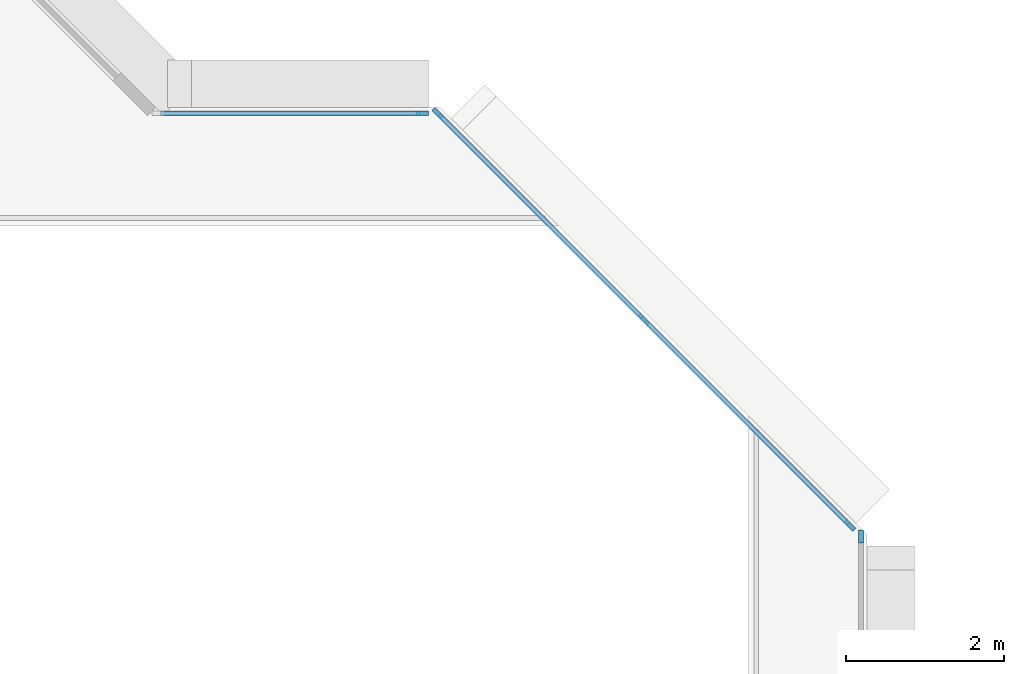
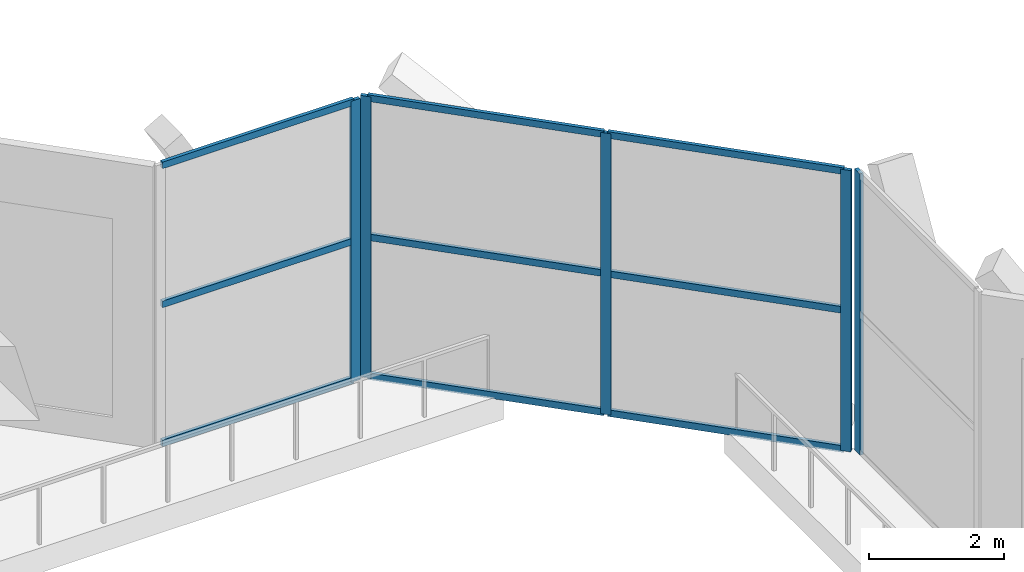
# One storey, part 4 of 14: 14 members, 3 elements without a shape of their own.
"""IFC4 building model written with IfcOpenShell, lengths in metres."""

import ifcopenshell
import ifcopenshell.guid

model = None  # the IFC model being written
_history = None  # IfcOwnerHistory: only IFC2X3 demands one
_inside = {}  # id of a spatial element -> (the spatial element, [elements in it])
_under = {}  # id of a project, library or spatial element -> (it, [spatial elements below it])
_declared = {}  # id of a project -> (the project, [libraries it declares])
_typed = {}  # id of a type object -> (the type object, [elements of that type])
_made_of = {}  # id of a material, layer set ... -> (it, [elements and type objects made of it])


def new_model(schema):
    """Start an empty IFC model of exactly this schema.

    Asked for "IFC4X3", IfcOpenShell would pick the latest addendum, in which some entities
    have other attributes; the version numbers below select the first issue.
    IFC2X3 requires an IfcOwnerHistory on every rooted entity: one is made here for all.
    """
    global model, _history
    if schema == "IFC4X3":
        model = ifcopenshell.file(schema_version=(4, 3, 0, 0))
    else:
        model = ifcopenshell.file(schema=schema)
    _inside.clear()
    _under.clear()
    _declared.clear()
    _typed.clear()
    _made_of.clear()
    _history = None
    if model.schema == "IFC2X3":
        org = make("IfcOrganization", Name="unknown")
        user = make(
            "IfcPersonAndOrganization",
            ThePerson=make("IfcPerson", FamilyName="unknown"),
            TheOrganization=org,
        )
        app = make(
            "IfcApplication",
            ApplicationDeveloper=org,
            Version="unknown",
            ApplicationFullName="unknown",
            ApplicationIdentifier="unknown",
        )
        _history = make(
            "IfcOwnerHistory",
            OwningUser=user,
            OwningApplication=app,
            ChangeAction="ADDED",
            CreationDate=0,
        )
    return model


def make(cls, **values):
    """One entity of the class cls with the attributes given. An attribute that is None is left unset."""
    return model.create_entity(
        cls, **{name: value for name, value in values.items() if value is not None}
    )


def rooted(cls, **values):
    """An entity with a GlobalId (a new one), such as an element, a storey or a relation."""
    return make(cls, GlobalId=ifcopenshell.guid.new(), OwnerHistory=_history, **values)


def si_unit(unit_type, name, prefix=None):
    """IfcSIUnit, for example si_unit("LENGTHUNIT", "METRE", prefix="MILLI")."""
    return make("IfcSIUnit", UnitType=unit_type, Prefix=prefix, Name=name)


def assignment(units):
    """IfcUnitAssignment: the units of a project."""
    return None if units is None else make("IfcUnitAssignment", Units=units)


def point(xyz):
    """IfcCartesianPoint."""
    return None if xyz is None else make("IfcCartesianPoint", Coordinates=xyz)


def direction(xyz):
    """IfcDirection."""
    return None if xyz is None else make("IfcDirection", DirectionRatios=xyz)


def frame(location, z_axis=None, x_axis=None):
    """IfcAxis2Placement3D, a coordinate frame: its origin and axes. An axis left out is left unset."""
    return make(
        "IfcAxis2Placement3D",
        Location=point(location),
        Axis=direction(z_axis),
        RefDirection=direction(x_axis),
    )


def frame_2d(location, x_axis=None):
    """IfcAxis2Placement2D, a coordinate frame in the plane: its origin and x axis."""
    return make(
        "IfcAxis2Placement2D", Location=point(location), RefDirection=direction(x_axis)
    )


def origin():
    """The frame at (0, 0, 0) with its axes left unset."""
    return frame((0.0, 0.0, 0.0))


def origin_2d():
    """The frame at (0, 0) in the plane with its x axis left unset."""
    return frame_2d((0.0, 0.0))


def place(relative_to, where):
    """IfcLocalPlacement: puts the frame where relative to a parent placement (None: the world)."""
    return make(
        "IfcLocalPlacement", PlacementRelTo=relative_to, RelativePlacement=where
    )


def context(
    kind, dimensions, precision=None, world=None, true_north=None, identifier=None
):
    """IfcGeometricRepresentationContext, for example the 3D "Model" context."""
    return make(
        "IfcGeometricRepresentationContext",
        ContextIdentifier=identifier,
        ContextType=kind,
        CoordinateSpaceDimension=dimensions,
        Precision=precision,
        WorldCoordinateSystem=world,
        TrueNorth=true_north,
    )


def subcontext(parent, identifier, kind, view, scale=None):
    """IfcGeometricRepresentationSubContext, for example "Body" below "Model"."""
    return make(
        "IfcGeometricRepresentationSubContext",
        ContextIdentifier=identifier,
        ContextType=kind,
        ParentContext=parent,
        TargetScale=scale,
        TargetView=view,
    )


def project(units=None, contexts=None):
    """IfcProject with its units and contexts."""
    return rooted(
        "IfcProject",
        Name="project",
        RepresentationContexts=contexts,
        UnitsInContext=assignment(units),
    )


def spatial(cls, under=None, at=None, **own):
    """A site, building, storey or space (cls), placed at a placement, below another one or the project."""
    s = rooted(cls, ObjectPlacement=at, **own)
    if under is not None:
        _under.setdefault(under.id(), (under, []))[1].append(s)
    return s


def profile(cls, at=None, kind="AREA", **sizes):
    """A parametric profile (cls). Its sizes go by their IFC names, for example OverallWidth=200.0."""
    return make(cls, ProfileType=kind, Position=at, **sizes)


def rectangle(**sizes):
    """IfcRectangleProfileDef."""
    return profile("IfcRectangleProfileDef", **sizes)


def extrude(swept, where, along, depth):
    """IfcExtrudedAreaSolid: the profile swept, set in the frame where, extruded along a direction by depth."""
    return make(
        "IfcExtrudedAreaSolid",
        SweptArea=swept,
        Position=where,
        ExtrudedDirection=direction(along),
        Depth=depth,
    )


def shape(context_of_items, identifier, shape_type, items):
    """IfcShapeRepresentation: the items that make up one representation, for example the "Body"."""
    return make(
        "IfcShapeRepresentation",
        ContextOfItems=context_of_items,
        RepresentationIdentifier=identifier,
        RepresentationType=shape_type,
        Items=items,
    )


def material(Name=None, Category=None):
    """IfcMaterial."""
    return make("IfcMaterial", Name=Name, Category=Category)


def layer(
    of_material, thickness, ventilated=None, Name=None, Category=None, Priority=None
):
    """IfcMaterialLayer: one layer of a wall or slab, of a material (None: an air gap)."""
    return make(
        "IfcMaterialLayer",
        Material=of_material,
        LayerThickness=thickness,
        IsVentilated=ventilated,
        Name=Name,
        Category=Category,
        Priority=Priority,
    )


def layer_set(layers, Name=None):
    """IfcMaterialLayerSet."""
    return make("IfcMaterialLayerSet", MaterialLayers=layers, LayerSetName=Name)


def material_profile(
    of_material, cross_section, Name=None, Category=None, Priority=None
):
    """IfcMaterialProfile: a cross section and its material."""
    return make(
        "IfcMaterialProfile",
        Name=Name,
        Material=of_material,
        Profile=cross_section,
        Priority=Priority,
        Category=Category,
    )


def profile_set(profiles, Name=None, composite=None):
    """IfcMaterialProfileSet."""
    return make(
        "IfcMaterialProfileSet",
        Name=Name,
        MaterialProfiles=profiles,
        CompositeProfile=composite,
    )


def made_of(thing, what):
    """Note that an element or type object is made of a material, layer set ...; save() writes the relation."""
    if what is not None:
        _made_of.setdefault(what.id(), (what, []))[1].append(thing)
    return thing


def type_object(cls, material=None, **own):
    """A type object (cls), such as IfcWallType, which elements share."""
    return made_of(rooted(cls, **own), material)


def element(
    cls,
    number,
    at=None,
    inside=None,
    cuts=None,
    type_object=None,
    material=None,
    context=None,
    identifier="Body",
    shape_type=None,
    held_by="IfcProductDefinitionShape",
    body=None,
    shapes=None,
    **own,
):
    """One element of the class cls, such as IfcWall. Its Tag is "e" and its number.

    at: its placement. inside: the storey or other place that contains it. cuts: it is an
    opening in that element (IfcRelVoidsElement). A single representation is given by context,
    identifier, shape_type and body (its items); several are given by shapes. held_by: the class
    of the entity that holds the representations. save() writes the other relations.
    """
    e = rooted(cls, Tag="e%d" % number, ObjectPlacement=at, **own)
    if body is not None:
        shapes = [shape(context, identifier, shape_type, body)]
    if shapes is not None:
        e.Representation = make(held_by, Representations=shapes)
    if inside is not None:
        _inside.setdefault(inside.id(), (inside, []))[1].append(e)
    if cuts is not None:
        rooted(
            "IfcRelVoidsElement", RelatingBuildingElement=cuts, RelatedOpeningElement=e
        )
    if type_object is not None:
        _typed.setdefault(type_object.id(), (type_object, []))[1].append(e)
    return made_of(e, material)


def aggregate(whole, parts):
    """IfcRelAggregates: a whole, such as a stair, and the parts it consists of."""
    return rooted("IfcRelAggregates", RelatingObject=whole, RelatedObjects=parts)


def save(model, path):
    """Write the relations noted so far, then the file.

    IfcRelAggregates (storeys below a building ...), IfcRelContainedInSpatialStructure (elements
    in a storey), IfcRelDefinesByType, IfcRelAssociatesMaterial and IfcRelDeclares: one each for
    every whole, place, type object, material and project.
    """
    for whole, parts in _under.values():
        aggregate(whole, parts)
    for where, things in _inside.values():
        rooted(
            "IfcRelContainedInSpatialStructure",
            RelatedElements=things,
            RelatingStructure=where,
        )
    for kind, things in _typed.values():
        rooted("IfcRelDefinesByType", RelatedObjects=things, RelatingType=kind)
    for what, things in _made_of.values():
        rooted("IfcRelAssociatesMaterial", RelatedObjects=things, RelatingMaterial=what)
    for by, libraries in _declared.values():
        rooted("IfcRelDeclares", RelatingContext=by, RelatedDefinitions=libraries)
    model.write(path)


model = new_model("IFC4")

# Units and contexts
model_context = context("Model", 3, precision=1e-05, world=origin(), true_north=direction((0.0, 1.0)))
body_context = subcontext(model_context, "Body", "Model", "MODEL_VIEW")
ifc_project = project(units=[si_unit("LENGTHUNIT", "METRE"), si_unit("AREAUNIT", "SQUARE_METRE"), si_unit("VOLUMEUNIT", "CUBIC_METRE"), si_unit("PLANEANGLEUNIT", "RADIAN"), si_unit("MASSUNIT", "GRAM", prefix="KILO")], contexts=[model_context])

# Site, building, storey
site_placement = place(None, origin())
site = spatial("IfcSite", under=ifc_project, at=site_placement, CompositionType="ELEMENT")
building_placement = place(site_placement, origin())
building = spatial("IfcBuilding", under=site, at=building_placement, Name="Chenar Terraces", CompositionType="ELEMENT")
storey_placement = place(building_placement, frame((0.0, 0.0, 86.39990234375)))
storey = spatial("IfcBuildingStorey", under=building, at=storey_placement, Name="L19", CompositionType="ELEMENT", Elevation=86.39990234375)

# Curtain wall, member
ifc_material_1 = material(Name="Aluminium framed glazing", Category="aluminium")
ifc_layer = layer(ifc_material_1, 0.14990234375)
ifc_layer_set = layer_set([ifc_layer], Name="Aluminium framed glazing")
curtain_wall_type = type_object("IfcCurtainWallType", Name="Atrium curtain wall", PredefinedType="NOTDEFINED", material=ifc_layer_set)
placement = place(storey_placement, origin())
curtain_wall_1 = element("IfcCurtainWall", 1, at=placement, inside=storey, type_object=curtain_wall_type, Name="Atrium curtain wall", PredefinedType="NOTDEFINED")
ifc_material_2 = material(Name="Aluminium", Category="aluminium")
ifc_material_profile_1 = material_profile(ifc_material_2, rectangle(XDim=0.06005859375, YDim=0.159912109375, at=origin_2d()), Name="Atrium glazing mullion 60 x 160")
ifc_profile_set_1 = profile_set([ifc_material_profile_1], Name="Aluminium")
member_type_1 = type_object("IfcMemberType", Name="Atrium glazing mullion 60 x 160", PredefinedType="MULLION", material=ifc_profile_set_1)
member_1_placement = place(storey_placement, frame((37.425048828125, 32.070068359375, 0.0), z_axis=(0.0, 0.0, 1.0), x_axis=(-1.0, 0.0, 0.0)))
member_1 = element("IfcMember", 2, at=member_1_placement, type_object=member_type_1, Name="CW1-1 mullion 2", PredefinedType="MULLION", context=body_context, shape_type="SweptSolid", body=[
    extrude(rectangle(XDim=0.06005859375, YDim=0.159912109375, at=origin_2d()), origin(), (0.0, 0.0, 1.0), 5.10009765625),
])
aggregate(curtain_wall_1, [member_1])

# Curtain wall, members
curtain_wall_2 = element("IfcCurtainWall", 3, at=placement, inside=storey, type_object=curtain_wall_type, Name="Atrium curtain wall", PredefinedType="NOTDEFINED")
member_2_placement = place(storey_placement, frame((37.284423828125, 32.209716796875, 0.0), z_axis=(0.0, 0.0, 1.0), x_axis=(-0.707106781187, -0.707106781187, 0.0)))
member_2 = element("IfcMember", 4, at=member_2_placement, type_object=member_type_1, Name="CW1-2 mullion 1", PredefinedType="MULLION", context=body_context, shape_type="SweptSolid", body=[
    extrude(rectangle(XDim=0.06005859375, YDim=0.159912109375, at=origin_2d()), origin(), (0.0, 0.0, 1.0), 5.10009765625),
])
member_3_placement = place(storey_placement, frame((34.67626953125, 34.817626953125, 0.0), z_axis=(0.0, 0.0, 1.0), x_axis=(-0.707106781187, -0.707106781187, 0.0)))
member_3 = element("IfcMember", 5, at=member_3_placement, type_object=member_type_1, Name="CW1-2 mullion 2", PredefinedType="MULLION", context=body_context, shape_type="SweptSolid", body=[
    extrude(rectangle(XDim=0.06005859375, YDim=0.159912109375, at=origin_2d()), origin(), (0.0, 0.0, 1.0), 5.10009765625),
])
member_4_placement = place(storey_placement, frame((32.068115234375, 37.42578125, 0.0), z_axis=(0.0, 0.0, 1.0), x_axis=(-0.707106781187, -0.707106781187, 0.0)))
member_4 = element("IfcMember", 6, at=member_4_placement, type_object=member_type_1, Name="CW1-2 mullion 3", PredefinedType="MULLION", context=body_context, shape_type="SweptSolid", body=[
    extrude(rectangle(XDim=0.06005859375, YDim=0.159912109375, at=origin_2d()), origin(), (0.0, 0.0, 1.0), 5.10009765625),
])

# Curtain wall, member
curtain_wall_3 = element("IfcCurtainWall", 7, at=placement, inside=storey, type_object=curtain_wall_type, Name="Atrium curtain wall", PredefinedType="NOTDEFINED")
member_5_placement = place(storey_placement, frame((31.8701171875, 37.425048828125, 0.0), z_axis=(0.0, 0.0, 1.0), x_axis=(0.0, -1.0, 0.0)))
member_5 = element("IfcMember", 8, at=member_5_placement, type_object=member_type_1, Name="CW1-3 mullion 1", PredefinedType="MULLION", context=body_context, shape_type="SweptSolid", body=[
    extrude(rectangle(XDim=0.06005859375, YDim=0.159912109375, at=origin_2d()), origin(), (0.0, 0.0, 1.0), 5.10009765625),
])

# Member
ifc_material_3 = material(Name="Aluminium", Category="aluminium")
ifc_material_profile_2 = material_profile(ifc_material_3, rectangle(XDim=0.06005859375, YDim=0.1201171875, at=origin_2d()), Name="Atrium glazing transom 60 x 120")
ifc_profile_set_2 = profile_set([ifc_material_profile_2], Name="Aluminium")
member_type_2 = type_object("IfcMemberType", Name="Atrium glazing transom 60 x 120", PredefinedType="USERDEFINED", material=ifc_profile_set_2)
member_6_placement = place(storey_placement, frame((37.26318359375, 32.230712890625, 0.030029296875), z_axis=(-0.707106781187, 0.707106781187, 0.0), x_axis=(-0.707106781187, -0.707106781187, 0.0)))
member_6 = element("IfcMember", 9, at=member_6_placement, type_object=member_type_2, Name="CW1-2 transom 1.1", ObjectType="TRANSOM", PredefinedType="USERDEFINED", context=body_context, shape_type="SweptSolid", body=[
    extrude(rectangle(XDim=0.06005859375, YDim=0.1201171875, at=origin_2d()), origin(), (0.0, 0.0, 1.0), 3.62841796875),
])

member_7_placement = place(storey_placement, frame((37.26318359375, 32.230712890625, 2.550048828125), z_axis=(-0.707106781187, 0.707106781187, 0.0), x_axis=(-0.707106781187, -0.707106781187, 0.0)))
member_7 = element("IfcMember", 10, at=member_7_placement, type_object=member_type_2, Name="CW1-2 transom 1.2", ObjectType="TRANSOM", PredefinedType="USERDEFINED", context=body_context, shape_type="SweptSolid", body=[
    extrude(rectangle(XDim=0.06005859375, YDim=0.1201171875, at=origin_2d()), origin(), (0.0, 0.0, 1.0), 3.62841796875),
])

member_8_placement = place(storey_placement, frame((37.26318359375, 32.230712890625, 5.070068359375), z_axis=(-0.707106781187, 0.707106781187, 0.0), x_axis=(-0.707106781187, -0.707106781187, 0.0)))
member_8 = element("IfcMember", 11, at=member_8_placement, type_object=member_type_2, Name="CW1-2 transom 1.3", ObjectType="TRANSOM", PredefinedType="USERDEFINED", context=body_context, shape_type="SweptSolid", body=[
    extrude(rectangle(XDim=0.06005859375, YDim=0.1201171875, at=origin_2d()), origin(), (0.0, 0.0, 1.0), 3.62841796875),
])

member_9_placement = place(storey_placement, frame((34.655029296875, 34.8388671875, 0.030029296875), z_axis=(-0.707106781187, 0.707106781187, 0.0), x_axis=(-0.707106781187, -0.707106781187, 0.0)))
member_9 = element("IfcMember", 12, at=member_9_placement, type_object=member_type_2, Name="CW1-2 transom 2.1", ObjectType="TRANSOM", PredefinedType="USERDEFINED", context=body_context, shape_type="SweptSolid", body=[
    extrude(rectangle(XDim=0.06005859375, YDim=0.1201171875, at=origin_2d()), origin(), (0.0, 0.0, 1.0), 3.62841796875),
])

member_10_placement = place(storey_placement, frame((34.655029296875, 34.8388671875, 2.550048828125), z_axis=(-0.707106781187, 0.707106781187, 0.0), x_axis=(-0.707106781187, -0.707106781187, 0.0)))
member_10 = element("IfcMember", 13, at=member_10_placement, type_object=member_type_2, Name="CW1-2 transom 2.2", ObjectType="TRANSOM", PredefinedType="USERDEFINED", context=body_context, shape_type="SweptSolid", body=[
    extrude(rectangle(XDim=0.06005859375, YDim=0.1201171875, at=origin_2d()), origin(), (0.0, 0.0, 1.0), 3.62841796875),
])

member_11_placement = place(storey_placement, frame((34.655029296875, 34.8388671875, 5.070068359375), z_axis=(-0.707106781187, 0.707106781187, 0.0), x_axis=(-0.707106781187, -0.707106781187, 0.0)))
member_11 = element("IfcMember", 14, at=member_11_placement, type_object=member_type_2, Name="CW1-2 transom 2.3", ObjectType="TRANSOM", PredefinedType="USERDEFINED", context=body_context, shape_type="SweptSolid", body=[
    extrude(rectangle(XDim=0.06005859375, YDim=0.1201171875, at=origin_2d()), origin(), (0.0, 0.0, 1.0), 3.62841796875),
])

aggregate(curtain_wall_2, [member_2, member_3, member_4, member_6, member_7, member_8, member_9, member_10, member_11])

member_12_placement = place(storey_placement, frame((31.840087890625, 37.425048828125, 0.030029296875), z_axis=(-1.0, 0.0, 0.0), x_axis=(0.0, -1.0, 0.0)))
member_12 = element("IfcMember", 15, at=member_12_placement, type_object=member_type_2, Name="CW1-3 transom 1.1", ObjectType="TRANSOM", PredefinedType="USERDEFINED", context=body_context, shape_type="SweptSolid", body=[
    extrude(rectangle(XDim=0.06005859375, YDim=0.1201171875, at=origin_2d()), origin(), (0.0, 0.0, 1.0), 3.280029296875),
])

member_13_placement = place(storey_placement, frame((31.840087890625, 37.425048828125, 2.550048828125), z_axis=(-1.0, 0.0, 0.0), x_axis=(0.0, -1.0, 0.0)))
member_13 = element("IfcMember", 16, at=member_13_placement, type_object=member_type_2, Name="CW1-3 transom 1.2", ObjectType="TRANSOM", PredefinedType="USERDEFINED", context=body_context, shape_type="SweptSolid", body=[
    extrude(rectangle(XDim=0.06005859375, YDim=0.1201171875, at=origin_2d()), origin(), (0.0, 0.0, 1.0), 3.280029296875),
])

member_14_placement = place(storey_placement, frame((31.840087890625, 37.425048828125, 5.070068359375), z_axis=(-1.0, 0.0, 0.0), x_axis=(0.0, -1.0, 0.0)))
member_14 = element("IfcMember", 17, at=member_14_placement, type_object=member_type_2, Name="CW1-3 transom 1.3", ObjectType="TRANSOM", PredefinedType="USERDEFINED", context=body_context, shape_type="SweptSolid", body=[
    extrude(rectangle(XDim=0.06005859375, YDim=0.1201171875, at=origin_2d()), origin(), (0.0, 0.0, 1.0), 3.280029296875),
])

aggregate(curtain_wall_3, [member_5, member_12, member_13, member_14])

save(model, "model.ifc")
